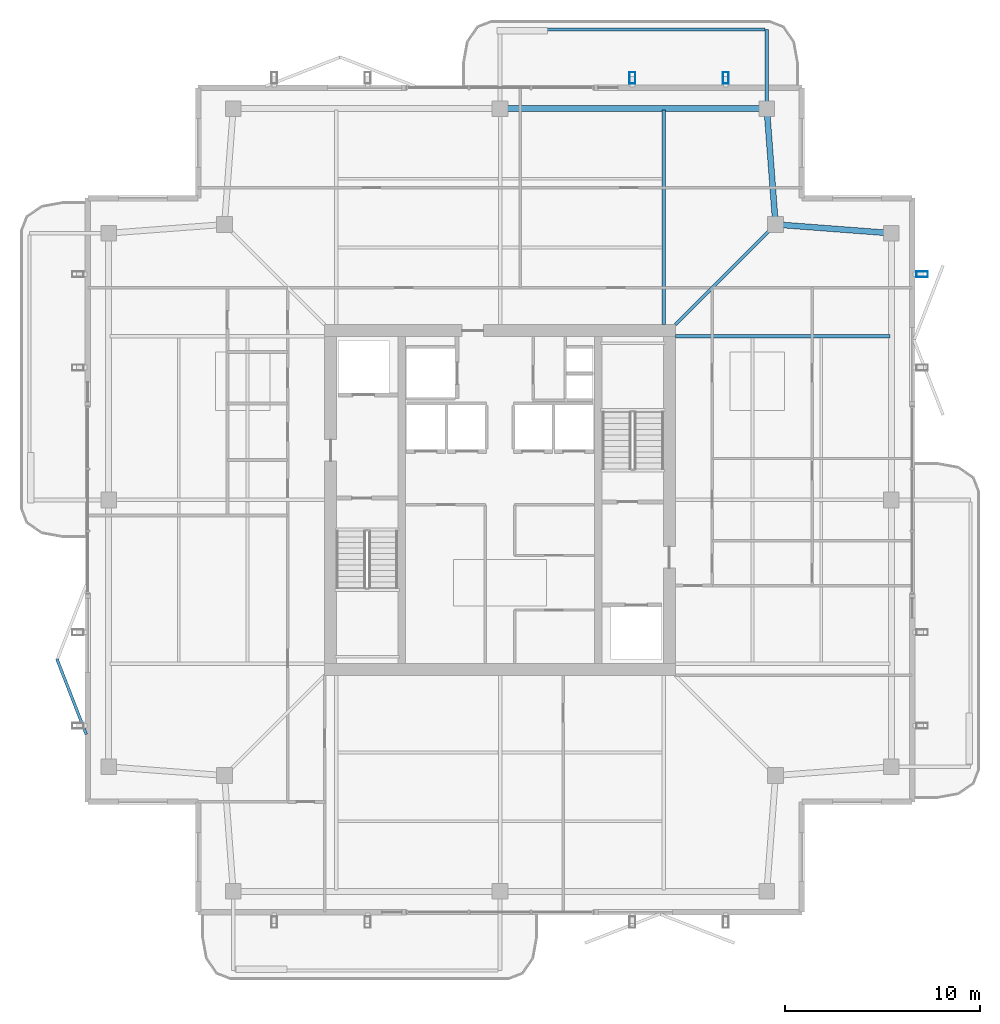
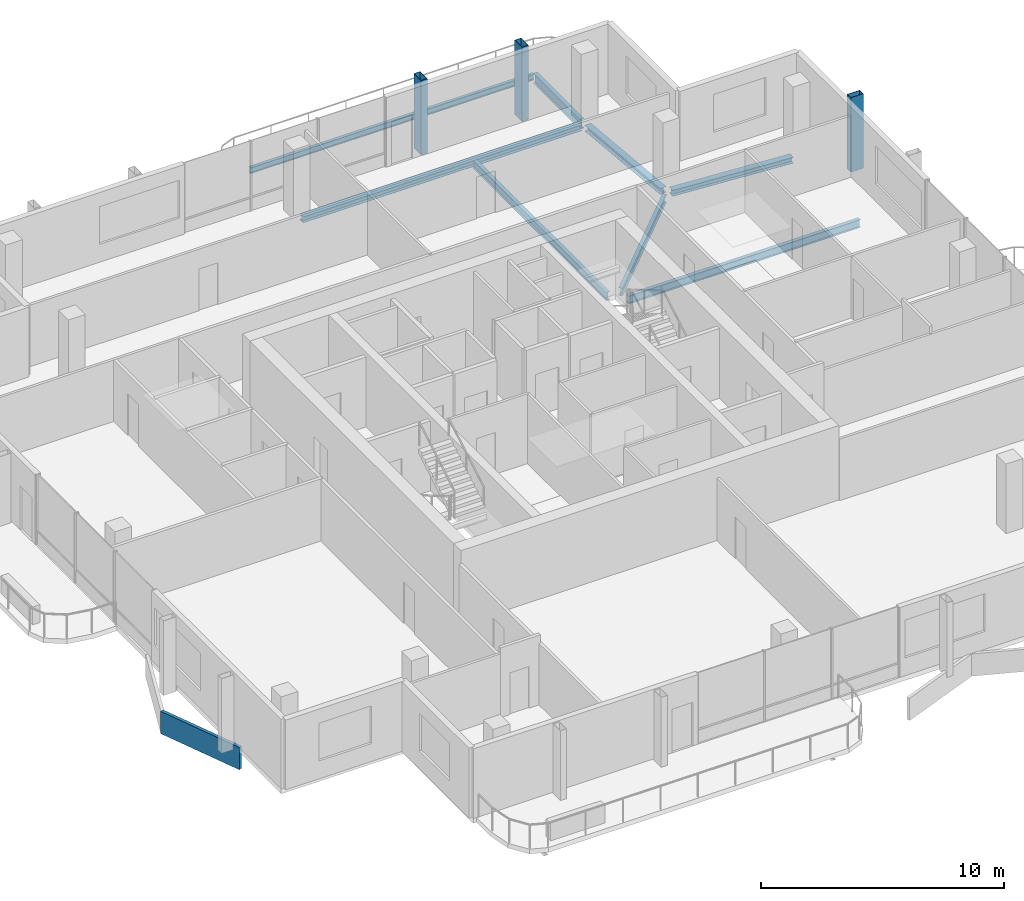
# One storey, part 14 of 22: 8 beams, 3 members, 1 plate.
"""IFC4 building model written with IfcOpenShell, lengths in metres."""

from ifc_helpers import new_model, si_unit, direction, frame, origin, origin_2d, place, context, subcontext, project, spatial, rectangle, hollow_rectangle, i_section, extrude, material, layer, layer_set, material_profile, profile_set, type_object, element, save


model = new_model("IFC4")

# Units and contexts
model_context = context("Model", 3, precision=1e-05, world=origin(), true_north=direction((0.0, 1.0)))
body_context = subcontext(model_context, "Body", "Model", "MODEL_VIEW")
ifc_project = project(units=[si_unit("LENGTHUNIT", "METRE"), si_unit("AREAUNIT", "SQUARE_METRE"), si_unit("VOLUMEUNIT", "CUBIC_METRE"), si_unit("PLANEANGLEUNIT", "RADIAN"), si_unit("MASSUNIT", "GRAM", prefix="KILO")], contexts=[model_context])

# Site, building, storey
site_placement = place(None, origin())
site = spatial("IfcSite", under=ifc_project, at=site_placement, CompositionType="ELEMENT")
building_placement = place(site_placement, origin())
building = spatial("IfcBuilding", under=site, at=building_placement, Name="Belovzor Exchange Tower", CompositionType="ELEMENT")
storey_placement = place(building_placement, frame((0.0, 0.0, 348.0)))
storey = spatial("IfcBuildingStorey", under=building, at=storey_placement, Name="L87", CompositionType="ELEMENT", Elevation=348.0)

# Beams
ifc_material_1 = material(Name="Steel S355", Category="steel")
ifc_material_profile_1 = material_profile(ifc_material_1, i_section(OverallWidth=0.199951171875, OverallDepth=0.5, WebThickness=0.01025390625, FlangeThickness=0.01611328125, at=origin_2d()))
ifc_profile_set_1 = profile_set([ifc_material_profile_1], Name="Steel S355")
beam_type_1 = type_object("IfcBeamType", Name="Planted Balcony Cantilever Beam IPE 500", PredefinedType="BEAM", material=ifc_profile_set_1)
beam_1_placement = place(storey_placement, frame((42.5, 49.1201171875, -0.489990234375), z_axis=(0.0, 1.0, 0.0), x_axis=(-1.0, 0.0, 0.0)))
element("IfcBeam", 1, at=beam_1_placement, inside=storey, type_object=beam_type_1, Name="BC-500 Planted Balcony Cantilever Beam IPE 500", PredefinedType="BEAM", context=body_context, shape_type="SweptSolid", body=[
    extrude(i_section(OverallWidth=0.199951171875, OverallDepth=0.5, WebThickness=0.01025390625, FlangeThickness=0.01611328125, at=origin_2d()), origin(), (0.0, 0.0, 1.0), 3.849853515625),
])
ifc_material_2 = material(Name="Steel S355", Category="steel")
ifc_material_profile_2 = material_profile(ifc_material_2, i_section(OverallWidth=0.14990234375, OverallDepth=0.300048828125, WebThickness=0.007080078125, FlangeThickness=0.0107421875, at=origin_2d()))
ifc_profile_set_2 = profile_set([ifc_material_profile_2], Name="Steel S355")
beam_type_2 = type_object("IfcBeamType", Name="Planted Balcony Fascia Edge Beam IPE 300", PredefinedType="BEAM", material=ifc_profile_set_2)
beam_2_placement = place(storey_placement, frame((42.39990234375, 52.969970703125, -0.389892578125), z_axis=(-1.0, 0.0, 0.0), x_axis=(0.0, -1.0, 0.0)))
element("IfcBeam", 2, at=beam_2_placement, inside=storey, type_object=beam_type_2, Name="BC-300 Planted Balcony Fascia Edge Beam IPE 300", PredefinedType="BEAM", context=body_context, shape_type="SweptSolid", body=[
    extrude(i_section(OverallWidth=0.14990234375, OverallDepth=0.300048828125, WebThickness=0.007080078125, FlangeThickness=0.0107421875, at=origin_2d()), origin(), (0.0, 0.0, 1.0), 13.5),
])

# Members
ifc_material_3 = material(Name="Extruded Architectural Terracotta on Steel S355 Carrier", Category="masonry")
ifc_material_profile_3 = material_profile(ifc_material_3, hollow_rectangle(XDim=0.300048828125, YDim=0.60009765625, WallThickness=0.01611328125, at=origin_2d()))
ifc_profile_set_3 = profile_set([ifc_material_profile_3], Name="Extruded Architectural Terracotta on Steel S355 Carrier")
member_type = type_object("IfcMemberType", Name="Upper Crown Terracotta Fin Assembly 550", PredefinedType="USERDEFINED", material=ifc_profile_set_3)
for number, where, z_axis, x_axis, name in (
    (3, (35.60009765625, 50.47509765625, -0.239990234375), (0.0, 0.0, 1.0), (1.0, 0.0, 0.0), "FIN-TC055 Terracotta Facade Fin L87 N3"),
    (4, (40.39990234375, 50.47509765625, -0.239990234375), (0.0, 0.0, 1.0), (1.0, 0.0, 0.0), "FIN-TC055 Terracotta Facade Fin L87 N4"),
    (5, (50.47509765625, 40.39990234375, -0.239990234375), (0.0, 0.0, 1.0), (0.0, 1.0, 0.0), "FIN-TC055 Terracotta Facade Fin L87 E4"),
):
    element("IfcMember", number, at=place(storey_placement, frame(where, z_axis=z_axis, x_axis=x_axis)), inside=storey, type_object=member_type, Name=name, ObjectType="FIN", PredefinedType="USERDEFINED", context=body_context, shape_type="SweptSolid", body=[
        extrude(hollow_rectangle(XDim=0.300048828125, YDim=0.60009765625, WallThickness=0.01611328125, at=origin_2d()), origin(), (0.0, 0.0, 1.0), 3.75),
    ])

# Beams
ifc_material_4 = material(Name="Steel S355", Category="steel")
ifc_material_profile_4 = material_profile(ifc_material_4, i_section(OverallWidth=0.179931640625, OverallDepth=0.39990234375, WebThickness=0.008544921875, FlangeThickness=0.013427734375, at=origin_2d()))
ifc_profile_set_4 = profile_set([ifc_material_profile_4], Name="Steel S355")
beam_type_3 = type_object("IfcBeamType", Name="Zone 5-6 Radial Composite Floor Beam IPE 400", PredefinedType="BEAM", material=ifc_profile_set_4)
for number, where, z_axis, x_axis, name in (
    (6, (37.199951171875, 37.800048828125, -0.43994140625), (0.0, 1.0, 0.0), (-1.0, 0.0, 0.0), "FB-400 Zone 5-6 Radial Composite Floor Beam IPE 400"),
    (7, (37.800048828125, 37.199951171875, -0.43994140625), (1.0, 0.0, 0.0), (0.0, 1.0, 0.0), "FB-400 Zone 5-6 Radial Composite Floor Beam IPE 400"),
):
    element("IfcBeam", number, at=place(storey_placement, frame(where, z_axis=z_axis, x_axis=x_axis)), inside=storey, type_object=beam_type_3, Name=name, PredefinedType="BEAM", context=body_context, shape_type="SweptSolid", body=[
        extrude(i_section(OverallWidth=0.179931640625, OverallDepth=0.39990234375, WebThickness=0.008544921875, FlangeThickness=0.013427734375, at=origin_2d()), origin(), (0.0, 0.0, 1.0), 11.02490234375),
    ])
beam_3_placement = place(storey_placement, frame((37.800048828125, 37.800048828125, -0.43994140625), z_axis=(0.707106781187, 0.707106781187, 0.0), x_axis=(-0.707106781187, 0.707106781187, 0.0)))
element("IfcBeam", 8, at=beam_3_placement, inside=storey, type_object=beam_type_3, Name="FB-400 Zone 5-6 Radial Composite Floor Beam IPE 400", PredefinedType="BEAM", context=body_context, shape_type="SweptSolid", body=[
    extrude(i_section(OverallWidth=0.179931640625, OverallDepth=0.39990234375, WebThickness=0.008544921875, FlangeThickness=0.013427734375, at=origin_2d()), origin(), (0.0, 0.0, 1.0), 7.000244140625),
])
ifc_material_5 = material(Name="Steel S355", Category="steel")
ifc_material_profile_5 = material_profile(ifc_material_5, i_section(OverallWidth=0.300048828125, OverallDepth=0.300048828125, WebThickness=0.008544921875, FlangeThickness=0.013916015625, at=origin_2d()))
ifc_profile_set_5 = profile_set([ifc_material_profile_5], Name="Steel S355")
beam_type_4 = type_object("IfcBeamType", Name="Zone 6 Primary Girder HEA 300", PredefinedType="BEAM", material=ifc_profile_set_5)
for number, where, z_axis, x_axis, name in (
    (9, (48.680908203125, 42.51708984375, -0.389892578125), (-0.99716387033, 0.075260983968, 0.0), (-0.075260983968, -0.99716387033, 0.0), "FG-Z6 Zone 6 Primary Girder HEA 300"),
    (10, (42.93310546875, 43.1689453125, -0.389892578125), (-0.075260983968, 0.99716387033, 0.0), (-0.99716387033, -0.075260983968, 0.0), "FG-Z6 Zone 6 Primary Girder HEA 300"),
):
    element("IfcBeam", number, at=place(storey_placement, frame(where, z_axis=z_axis, x_axis=x_axis)), inside=storey, type_object=beam_type_4, Name=name, PredefinedType="BEAM", context=body_context, shape_type="SweptSolid", body=[
        extrude(i_section(OverallWidth=0.300048828125, OverallDepth=0.300048828125, WebThickness=0.008544921875, FlangeThickness=0.013916015625, at=origin_2d()), origin(), (0.0, 0.0, 1.0), 5.527587890625),
    ])
beam_4_placement = place(storey_placement, frame((42.280029296875, 48.89990234375, -0.389892578125), z_axis=(-1.0, 0.0, 0.0), x_axis=(0.0, -1.0, 0.0)))
element("IfcBeam", 11, at=beam_4_placement, inside=storey, type_object=beam_type_4, Name="FG-Z6 Zone 6 Primary Girder HEA 300", PredefinedType="BEAM", context=body_context, shape_type="SweptSolid", body=[
    extrude(i_section(OverallWidth=0.300048828125, OverallDepth=0.300048828125, WebThickness=0.008544921875, FlangeThickness=0.013916015625, at=origin_2d()), origin(), (0.0, 0.0, 1.0), 13.260009765625),
])

# Plate
ifc_material_6 = material(Name="Extruded Architectural Terracotta", Category="masonry")
ifc_layer = layer(ifc_material_6, 0.14990234375)
ifc_layer_set = layer_set([ifc_layer], Name="Extruded Architectural Terracotta")
plate_type = type_object("IfcPlateType", Name="Upper-Crown Deep Folded Zigzag Terracotta Spandrel Louvre 150", PredefinedType="USERDEFINED", material=ifc_layer_set)
plate_placement = place(storey_placement, frame((6.800048828125, 18.699951171875, -1.10498046875), z_axis=(0.0, 0.0, 1.0), x_axis=(-0.362925986758, 0.931817969421, 0.0)))
element("IfcPlate", 12, at=plate_placement, inside=storey, type_object=plate_type, Name="LVR-ZZ3 Zigzag Terracotta Spandrel Louvre L87 W1A", ObjectType="SPANDREL_LOUVRE", PredefinedType="USERDEFINED", context=body_context, shape_type="SweptSolid", body=[
    extrude(rectangle(XDim=4.157958984375, YDim=0.14990234375, at=origin_2d()), origin(), (0.0, 0.0, 1.0), 1.1201171875),
])

save(model, "model.ifc")
